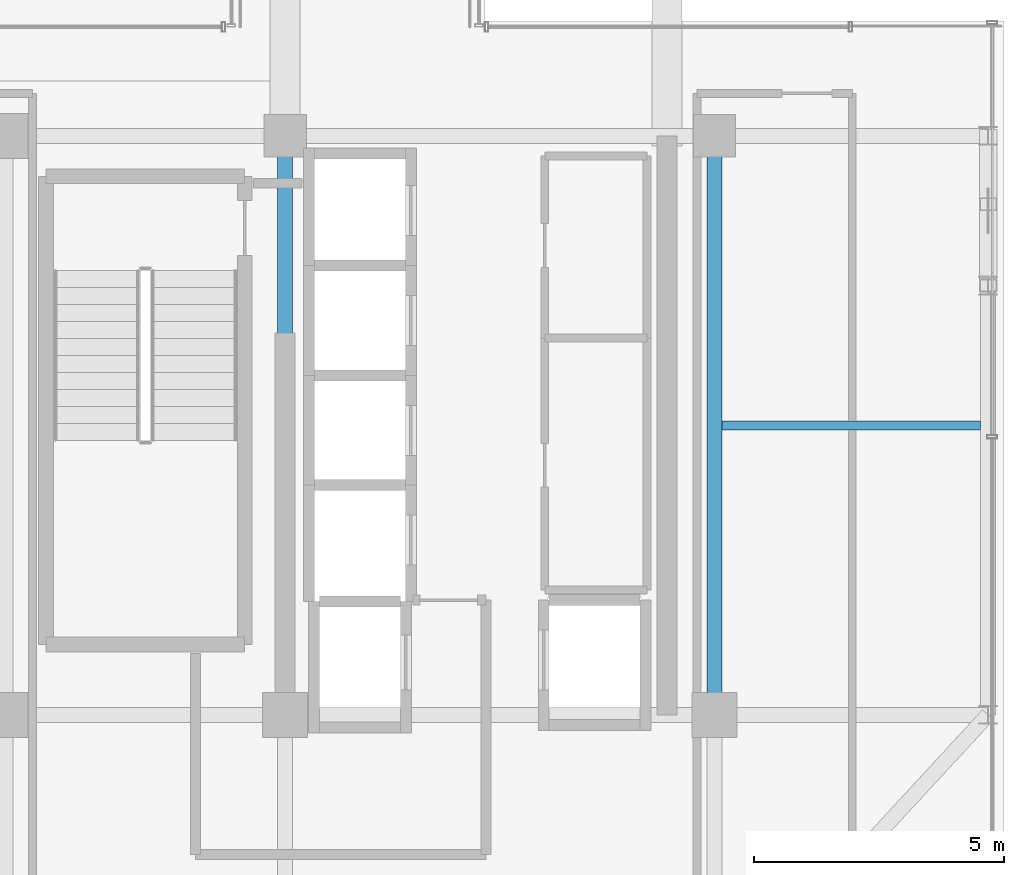
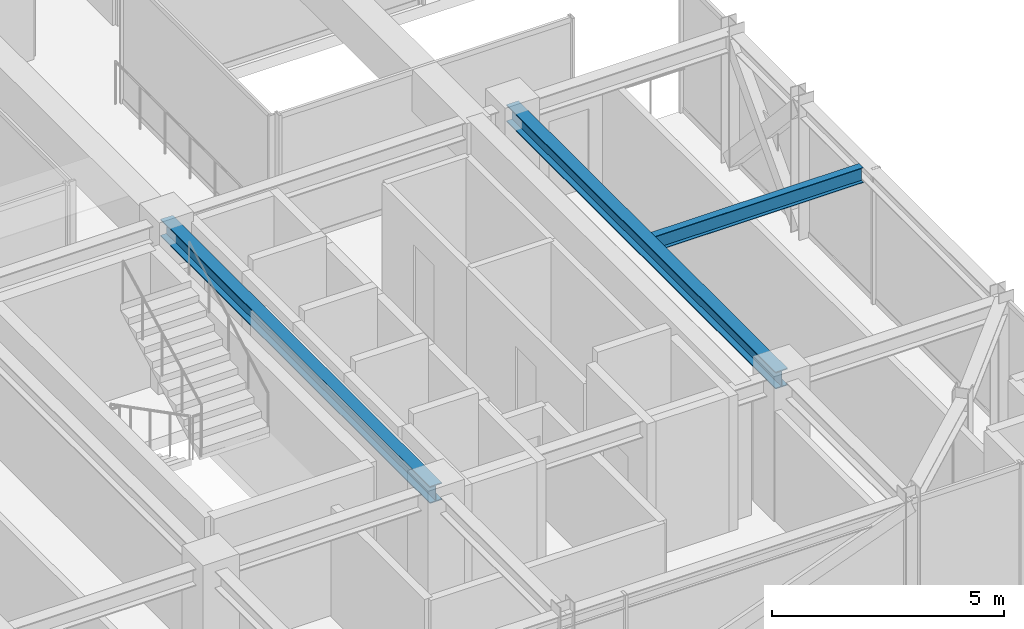
# One storey, part 17 of 41: 3 beams.
"""IFC4 building model written with IfcOpenShell, lengths in metres."""

from ifc_helpers import new_model, si_unit, direction, frame, origin, origin_2d, place, context, subcontext, project, spatial, i_section, extrude, source, transform, mapped, material, material_profile, profile_set, type_object, element, save


model = new_model("IFC4")

# Units and contexts
model_context = context("Model", 3, precision=1e-05, world=origin(), true_north=direction((0.0, 1.0)))
body_context = subcontext(model_context, "Body", "Model", "MODEL_VIEW")
ifc_project = project(units=[si_unit("LENGTHUNIT", "METRE"), si_unit("AREAUNIT", "SQUARE_METRE"), si_unit("VOLUMEUNIT", "CUBIC_METRE"), si_unit("PLANEANGLEUNIT", "RADIAN"), si_unit("MASSUNIT", "GRAM", prefix="KILO")], contexts=[model_context])

# Site, building, storey
site_placement = place(None, origin())
site = spatial("IfcSite", under=ifc_project, at=site_placement, CompositionType="ELEMENT")
building_placement = place(site_placement, origin())
building = spatial("IfcBuilding", under=site, at=building_placement, Name="Nahalor Promenade Grand Hotel", CompositionType="ELEMENT")
storey_placement = place(building_placement, frame((0.0, 0.0, 304.199951171875)))
storey = spatial("IfcBuildingStorey", under=building, at=storey_placement, Name="L78", CompositionType="ELEMENT", Elevation=304.199951171875)

# Beams
ifc_material = material(Name="Steel S355JR", Category="steel")
ifc_material_profile_1 = material_profile(ifc_material, i_section(OverallWidth=0.3, OverallDepth=0.45, WebThickness=0.014, FlangeThickness=0.026, at=origin_2d()), Name="HEB 450")
ifc_profile_set_1 = profile_set([ifc_material_profile_1], Name="Steel S355JR")
beam_type_1 = type_object("IfcBeamType", Name="Beam-Girder-HEB450", PredefinedType="BEAM", material=ifc_profile_set_1)
shared_shape_1 = source(origin(), body_context, "Body", "SweptSolid", [
    extrude(i_section(OverallWidth=0.3, OverallDepth=0.45, WebThickness=0.014, FlangeThickness=0.026, at=origin_2d()), origin(), (0.0, 0.0, 1.0), 11.60009765625),
])
for number, where, z_axis, x_axis, name in (
    (1, (8.39990234375, -17.0, 3.324951171875), (0.0, 1.0, 0.0), (-1.0, 0.0, 0.0), "BM-L78-GY-4-1"),
    (2, (17.0, -17.0, 3.324951171875), (0.0, 1.0, 0.0), (-1.0, 0.0, 0.0), "BM-L78-GY-5-1"),
):
    element("IfcBeam", number, at=place(storey_placement, frame(where, z_axis=z_axis, x_axis=x_axis)), inside=storey, type_object=beam_type_1, Name=name, PredefinedType="BEAM", context=body_context, shape_type="MappedRepresentation", body=[
        mapped(shared_shape_1, transform((0.0, 0.0, 0.0), scale=1.0)),
    ])
ifc_material_profile_2 = material_profile(ifc_material, i_section(OverallWidth=0.18, OverallDepth=0.4, WebThickness=0.0086, FlangeThickness=0.0135, at=origin_2d()), Name="IPE 400")
ifc_profile_set_2 = profile_set([ifc_material_profile_2], Name="Steel S355JR")
beam_type_2 = type_object("IfcBeamType", Name="Beam-Joist-IPE400", PredefinedType="JOIST", material=ifc_profile_set_2)
shared_shape_2 = source(origin(), body_context, "Body", "SweptSolid", [
    extrude(i_section(OverallWidth=0.18, OverallDepth=0.4, WebThickness=0.0086, FlangeThickness=0.0135, at=origin_2d()), origin(), (0.0, 0.0, 1.0), 5.18017578125),
])
beam_placement = place(storey_placement, frame((17.14990234375, -11.199951171875, 3.35009765625), z_axis=(1.0, 0.0, 0.0), x_axis=(0.0, 1.0, 0.0)))
element("IfcBeam", 3, at=beam_placement, inside=storey, type_object=beam_type_2, Name="BM-L78-JSE-0-2", PredefinedType="JOIST", context=body_context, shape_type="MappedRepresentation", body=[
    mapped(shared_shape_2, transform((0.0, 0.0, 0.0), scale=1.0)),
])

save(model, "model.ifc")
